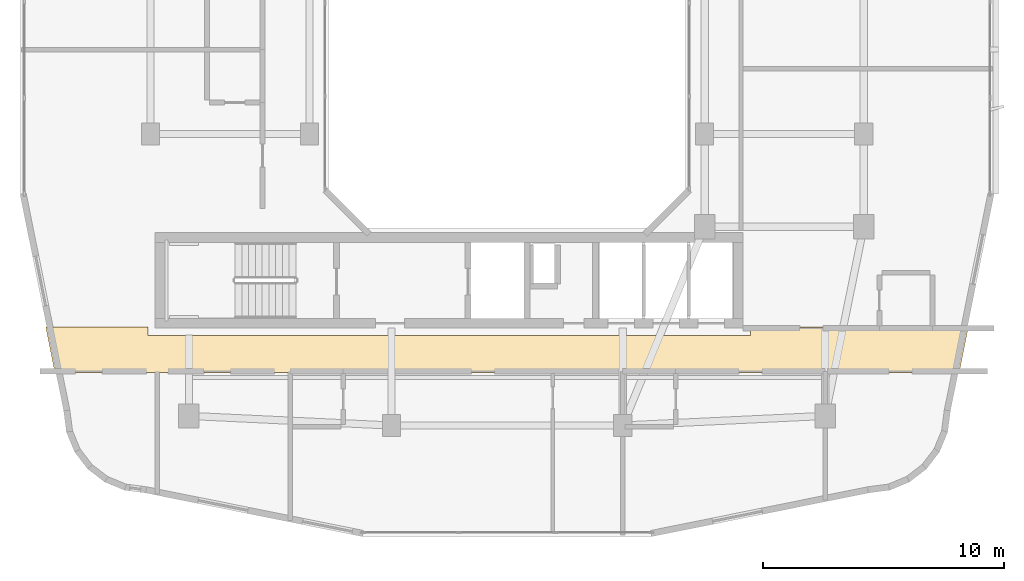
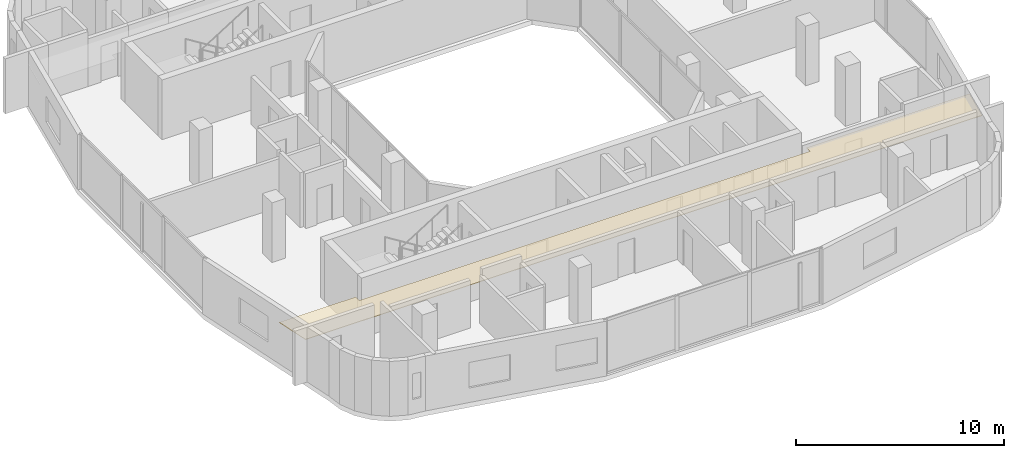
# One storey, part 12 of 14: 1 covering.
"""IFC4 building model written with IfcOpenShell, lengths in metres."""

from ifc_helpers import new_model, si_unit, derived_unit, direction, frame, origin, place, context, subcontext, project, spatial, polyline, outline, extrude, material, layer, layer_set, type_object, element, save


model = new_model("IFC4")

# Units and contexts
model_context = context("Model", 3, precision=1e-05, world=origin(), true_north=direction((0.0, 1.0)))
body_context = subcontext(model_context, "Body", "Model", "MODEL_VIEW")
ifc_project = project(units=[si_unit("LENGTHUNIT", "METRE"), si_unit("AREAUNIT", "SQUARE_METRE"), si_unit("VOLUMEUNIT", "CUBIC_METRE"), si_unit("PLANEANGLEUNIT", "RADIAN"), si_unit("MASSUNIT", "GRAM", prefix="KILO"), derived_unit("THERMALTRANSMITTANCEUNIT", [(si_unit("POWERUNIT", "WATT"), 1), (si_unit("LENGTHUNIT", "METRE"), -2), (si_unit("THERMODYNAMICTEMPERATUREUNIT", "KELVIN"), -1)])], contexts=[model_context])

# Site, building, storey
site_placement = place(None, origin())
site = spatial("IfcSite", under=ifc_project, at=site_placement, CompositionType="ELEMENT")
building_placement = place(site_placement, origin())
building = spatial("IfcBuilding", under=site, at=building_placement, Name="Kivonza Crest Hotel", CompositionType="ELEMENT")
storey_placement = place(building_placement, frame((0.0, 0.0, 162.5)))
storey = spatial("IfcBuildingStorey", under=building, at=storey_placement, Name="L44", CompositionType="ELEMENT", Elevation=162.5)

# Covering
ifc_material = material(Name="Moisture-resistant gypsum plasterboard ceiling", Category="gypsum")
ifc_layer = layer(ifc_material, 0.030029296875)
ifc_layer_set = layer_set([ifc_layer], Name="Moisture-resistant gypsum plasterboard ceiling")
covering_type = type_object("IfcCoveringType", Name="CV-CEIL-GYP", PredefinedType="CEILING", material=ifc_layer_set)
covering_placement = place(storey_placement, frame((0.0, 0.0, 2.449951171875)))
element("IfcCovering", 1, at=covering_placement, inside=storey, type_object=covering_type, Name="L44 Hotel South Guest Corridor suspended ceiling", PredefinedType="CEILING", context=body_context, shape_type="SweptSolid", body=[
    extrude(outline(polyline([(1.85791015625, 13.47998046875), (2.235107421875, 11.610107421875), (39.764892578125, 11.610107421875), (40.14208984375, 13.47998046875), (31.10009765625, 13.47998046875), (31.10009765625, 13.139892578125), (6.10009765625, 13.139892578125), (6.10009765625, 13.47998046875), (1.85791015625, 13.47998046875)])), origin(), (0.0, 0.0, 1.0), 0.030029296875),
])

save(model, "model.ifc")
